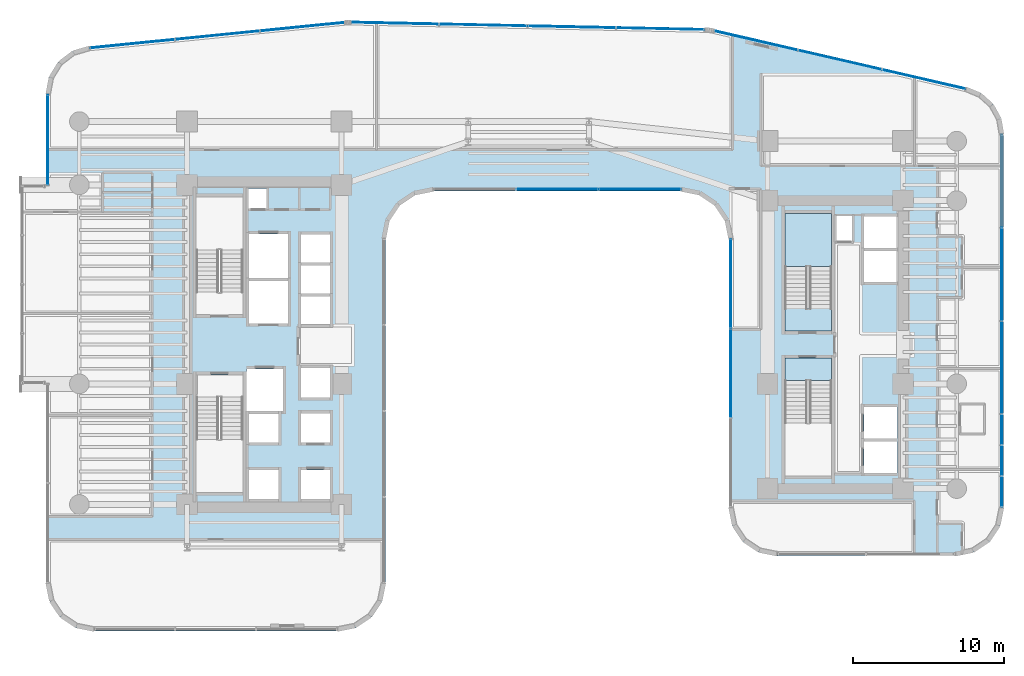
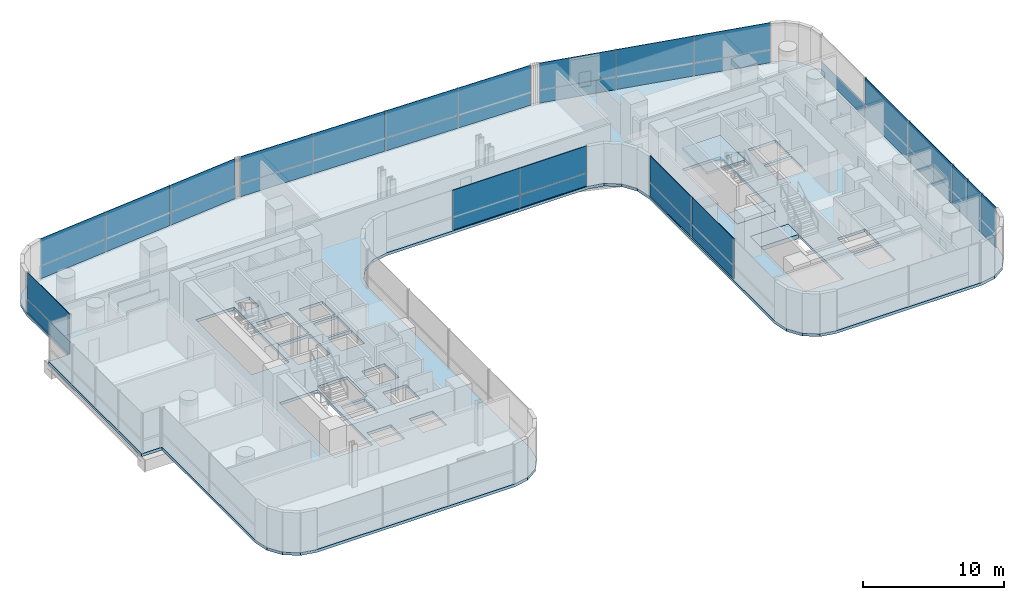
# One storey, part 28 of 39: 31 plates, 4 slabs, 8 elements without a shape of their own.
"""IFC4 building model written with IfcOpenShell, lengths in metres."""

from ifc_helpers import new_model, si_unit, direction, frame, origin, origin_2d, place, context, subcontext, project, spatial, polyline, rectangle, outline, extrude, source, transform, mapped, material, layer, layer_set, type_object, element, aggregate, save


model = new_model("IFC4")

# Units and contexts
model_context = context("Model", 3, precision=1e-05, world=origin(), true_north=direction((0.0, 1.0)))
body_context = subcontext(model_context, "Body", "Model", "MODEL_VIEW")
ifc_project = project(units=[si_unit("LENGTHUNIT", "METRE"), si_unit("AREAUNIT", "SQUARE_METRE"), si_unit("VOLUMEUNIT", "CUBIC_METRE"), si_unit("PLANEANGLEUNIT", "RADIAN"), si_unit("MASSUNIT", "GRAM", prefix="KILO")], contexts=[model_context])

# Site, building, storey
site_placement = place(None, origin())
site = spatial("IfcSite", under=ifc_project, at=site_placement, CompositionType="ELEMENT")
building_placement = place(site_placement, origin())
building = spatial("IfcBuilding", under=site, at=building_placement, Name="Valdorenza Pilgrim Sanctuary Tower", CompositionType="ELEMENT")
storey_placement = place(building_placement, frame((0.0, 0.0, 70.39990234375)))
storey = spatial("IfcBuildingStorey", under=building, at=storey_placement, Name="L17", CompositionType="ELEMENT", Elevation=70.39990234375)

# Slab
ifc_material_1 = material(Name="Concrete C40/50", Category="concrete")
ifc_layer_1 = layer(ifc_material_1, 0.239990234375, Name="Concrete C40/50")
ifc_layer_set_1 = layer_set([ifc_layer_1], Name="Concrete C40/50")
slab_type_1 = type_object("IfcSlabType", Name="SLAB-FLR-220", PredefinedType="FLOOR", material=ifc_layer_set_1)
slab_1_placement = place(storey_placement, frame((0.0, 0.0, -0.239990234375)))
element("IfcSlab", 1, at=slab_1_placement, inside=storey, type_object=slab_type_1, Name="L17 Structural Floor Slab 1", PredefinedType="FLOOR", context=body_context, shape_type="SweptSolid", body=[
    extrude(outline(polyline([(-31.785888671875, 17.754638671875), (-31.172607421875, 18.751220703125), (-30.241943359375, 19.460693359375), (-29.118408203125, 19.7880859375), (-12.192138671875, 21.480712890625), (-11.999755859375, 21.494140625), (-11.9033203125, 21.49658203125), (11.66943359375, 21.0068359375), (11.833984375, 20.999267578125), (11.997802734375, 20.983154296875), (12.160888671875, 20.95849609375), (12.322265625, 20.925537109375), (29.01953125, 17.072509765625), (30.00732421875, 16.660888671875), (30.80419921875, 15.946533203125), (31.321044921875, 15.009521484375), (31.5, 13.954345703125), (31.5, -10.800048828125), (31.25634765625, -12.024658203125), (30.562744140625, -13.062744140625), (29.524658203125, -13.75634765625), (28.300048828125, -14.0), (16.5, -14.0), (15.275390625, -13.75634765625), (14.2373046875, -13.062744140625), (13.543701171875, -12.024658203125), (13.300048828125, -10.800048828125), (13.300048828125, 7.0), (13.056396484375, 8.224609375), (12.36279296875, 9.2626953125), (11.32470703125, 9.956298828125), (10.10009765625, 10.199951171875), (-6.300048828125, 10.199951171875), (-7.524658203125, 9.956298828125), (-8.562744140625, 9.2626953125), (-9.25634765625, 8.224609375), (-9.5, 7.0), (-9.5, -15.800048828125), (-9.74365234375, -17.024658203125), (-10.437255859375, -18.062744140625), (-11.475341796875, -18.75634765625), (-12.699951171875, -19.0), (-28.800048828125, -19.0), (-30.024658203125, -18.75634765625), (-31.062744140625, -18.062744140625), (-31.75634765625, -17.024658203125), (-32.0, -15.800048828125), (-32.0, -2.60009765625), (-33.64990234375, -2.60009765625), (-33.64990234375, 10.60009765625), (-32.0, 10.60009765625), (-32.0, 16.60400390625), (-31.785888671875, 17.754638671875)]), holes=[polyline([(-16.60009765625, -10.25), (-16.60009765625, -8.300048828125), (-18.550048828125, -8.300048828125), (-18.550048828125, -10.25), (-16.60009765625, -10.25)]), polyline([(-22.050048828125, -9.800048828125), (-18.93994140625, -9.800048828125), (-18.93994140625, -3.485107421875), (-18.93994140625, -2.0), (-22.050048828125, -2.0), (-22.050048828125, -3.485107421875), (-22.050048828125, -9.800048828125)]), polyline([(-18.550048828125, -6.5), (-16.60009765625, -6.5), (-16.60009765625, -4.60009765625), (-18.550048828125, -4.60009765625), (-18.550048828125, -6.5)]), polyline([(-13.179931640625, -6.5), (-13.179931640625, -4.550048828125), (-15.10009765625, -4.550048828125), (-15.10009765625, -6.5), (-13.179931640625, -6.5)]), polyline([(-18.719970703125, -4.39990234375), (-16.300048828125, -4.39990234375), (-16.300048828125, -1.60009765625), (-18.719970703125, -1.60009765625), (-18.719970703125, -4.39990234375)]), polyline([(-13.179931640625, -3.5), (-13.179931640625, -1.550048828125), (-15.10009765625, -1.550048828125), (-15.10009765625, -3.5), (-13.179931640625, -3.5)]), polyline([(-22.050048828125, 2.0), (-18.93994140625, 2.0), (-18.93994140625, 3.485107421875), (-18.93994140625, 9.800048828125), (-22.050048828125, 9.800048828125), (-22.050048828125, 3.485107421875), (-22.050048828125, 2.0)]), polyline([(-18.550048828125, 1.39990234375), (-15.949951171875, 1.39990234375), (-15.949951171875, 4.22509765625), (-18.550048828125, 4.22509765625), (-18.550048828125, 1.39990234375)]), polyline([(-15.949951171875, 4.425048828125), (-15.949951171875, 7.35009765625), (-18.550048828125, 7.35009765625), (-18.550048828125, 4.425048828125), (-15.949951171875, 4.425048828125)]), polyline([(-15.10009765625, 5.449951171875), (-13.179931640625, 5.449951171875), (-13.179931640625, 7.300048828125), (-15.10009765625, 7.300048828125), (-15.10009765625, 5.449951171875)]), polyline([(-17.360107421875, 9.030029296875), (-17.360107421875, 10.35009765625), (-18.570068359375, 10.35009765625), (-18.570068359375, 9.030029296875), (-17.360107421875, 9.030029296875)]), polyline([(-15.10009765625, -10.25), (-13.179931640625, -10.25), (-13.179931640625, -8.300048828125), (-15.10009765625, -8.300048828125), (-15.10009765625, -10.25)]), polyline([(22.25, -8.5), (24.47998046875, -8.5), (24.47998046875, -6.425048828125), (22.25, -6.425048828125), (22.25, -8.5)]), polyline([(17.0, -2.385009765625), (17.0, -8.699951171875), (20.110107421875, -8.699951171875), (20.110107421875, -2.385009765625), (20.110107421875, -0.89990234375), (17.0, -0.89990234375), (17.0, -2.385009765625)]), polyline([(22.25, -6.22509765625), (24.47998046875, -6.22509765625), (24.47998046875, -4.14990234375), (22.25, -4.14990234375), (22.25, -6.22509765625)]), polyline([(17.0, 0.89990234375), (20.110107421875, 0.89990234375), (20.110107421875, 2.385009765625), (20.110107421875, 8.699951171875), (17.0, 8.699951171875), (17.0, 2.385009765625), (17.0, 0.89990234375)]), polyline([(-15.10009765625, 1.35009765625), (-13.179931640625, 1.35009765625), (-13.179931640625, 3.199951171875), (-15.10009765625, 3.199951171875), (-15.10009765625, 1.35009765625)]), polyline([(-15.10009765625, 3.39990234375), (-13.179931640625, 3.39990234375), (-13.179931640625, 5.25), (-15.10009765625, 5.25), (-15.10009765625, 3.39990234375)]), polyline([(22.25, 4.14990234375), (24.47998046875, 4.14990234375), (24.47998046875, 6.22509765625), (22.25, 6.22509765625), (22.25, 4.14990234375)]), polyline([(22.25, 6.425048828125), (24.47998046875, 6.425048828125), (24.47998046875, 8.5), (22.25, 8.5), (22.25, 6.425048828125)]), polyline([(20.409912109375, 6.860107421875), (21.489990234375, 6.860107421875), (21.489990234375, 8.52001953125), (20.409912109375, 8.52001953125), (20.409912109375, 6.860107421875)])]), origin(), (0.0, 0.0, 1.0), 0.239990234375),
])

# Stair, slab
stair_type = type_object("IfcStairType", Name="STR-DOG-CORE", PredefinedType="HALF_TURN_STAIR", material=ifc_material_1)
stair_placement = place(storey_placement, origin())
stair = element("IfcStair", 2, at=stair_placement, inside=storey, type_object=stair_type, Name="L17 ST-B1", PredefinedType="HALF_TURN_STAIR")
ifc_layer_2 = layer(ifc_material_1, 0.199951171875, Name="Concrete C40/50")
ifc_layer_set_2 = layer_set([ifc_layer_2], Name="Concrete C40/50")
slab_type_2 = type_object("IfcSlabType", Name="SLAB-STL-200", PredefinedType="LANDING", material=ifc_layer_set_2)
slab_2_placement = place(storey_placement, frame((0.0, 0.0, 1.650146484375)))
slab_2 = element("IfcSlab", 3, at=slab_2_placement, type_object=slab_type_2, Name="ST-B1 landing 1", PredefinedType="LANDING", context=body_context, shape_type="SweptSolid", body=[
    extrude(outline(polyline([(20.110107421875, 5.179931640625), (20.110107421875, 8.699951171875), (17.0, 8.699951171875), (17.0, 5.179931640625), (20.110107421875, 5.179931640625)])), origin(), (0.0, 0.0, 1.0), 0.199951171875),
])
aggregate(stair, [slab_2])

# Slabs
ifc_material_2 = material(Name="Concrete C50/60", Category="concrete")
ifc_layer_3 = layer(ifc_material_2, 0.39990234375, Name="Concrete C50/60")
ifc_layer_set_3 = layer_set([ifc_layer_3], Name="Concrete C50/60")
slab_type_3 = type_object("IfcSlabType", Name="SLAB-TRF-400", PredefinedType="FLOOR", material=ifc_layer_set_3)
slab_3_placement = place(storey_placement, frame((0.0, 0.0, -0.35986328125)))
element("IfcSlab", 4, at=slab_3_placement, inside=storey, type_object=slab_type_3, Name="L17 ST-B1 Structural Stair Landing Bearing Slab", PredefinedType="FLOOR", context=body_context, shape_type="SweptSolid", body=[
    extrude(outline(polyline([(17.0, 0.89990234375), (20.110107421875, 0.89990234375), (20.110107421875, 2.385009765625), (17.0, 2.385009765625), (17.0, 0.89990234375)])), origin(), (0.0, 0.0, 1.0), 0.35986328125),
])
slab_4_placement = place(storey_placement, frame((0.0, 0.0, -0.35986328125)))
element("IfcSlab", 5, at=slab_4_placement, inside=storey, type_object=slab_type_3, Name="L17 ST-B2 Structural Stair Landing Bearing Slab", PredefinedType="FLOOR", context=body_context, shape_type="SweptSolid", body=[
    extrude(outline(polyline([(17.0, -2.385009765625), (20.110107421875, -2.385009765625), (20.110107421875, -0.89990234375), (17.0, -0.89990234375), (17.0, -2.385009765625)])), origin(), (0.0, 0.0, 1.0), 0.35986328125),
])

# Curtain wall, plates
ifc_material_3 = material(Name="Curtain-wall IGU glazing", Category="glass")
curtain_wall_type_1 = type_object("IfcCurtainWallType", Name="CW-SYS-02", PredefinedType="NOTDEFINED", material=ifc_material_3)
curtain_wall_1_placement = place(storey_placement, origin())
curtain_wall_1 = element("IfcCurtainWall", 6, at=curtain_wall_1_placement, inside=storey, type_object=curtain_wall_type_1, Name="L17 Curtain Wall CW-L17-1-6", PredefinedType="NOTDEFINED")
ifc_material_4 = material(Name="Honed travertine limestone", Category="masonry")
ifc_layer_4 = layer(ifc_material_4, 0.050048828125, Name="Honed travertine limestone")
ifc_layer_set_4 = layer_set([ifc_layer_4], Name="Honed travertine limestone")
plate_type_1 = type_object("IfcPlateType", Name="CW-SPN-TRV", PredefinedType="USERDEFINED", material=ifc_layer_set_4)
shared_shape_1 = source(origin(), body_context, "Body", "SweptSolid", [
    extrude(rectangle(XDim=5.646484375, YDim=0.06005859375, at=origin_2d()), origin(), (0.0, 0.0, 1.0), 1.10009765625),
])
plate_1_placement = place(storey_placement, frame((-26.2783203125, 19.961669921875, 0.010009765625), z_axis=(0.0, 0.0, 1.0), x_axis=(0.995038220239, 0.099493418189, 0.0)))
plate_1 = element("IfcPlate", 7, at=plate_1_placement, type_object=plate_type_1, Name="CW-L17-1-6 Travertine Spandrel 1", ObjectType="SPANDREL", PredefinedType="USERDEFINED", context=body_context, shape_type="MappedRepresentation", body=[
    mapped(shared_shape_1, transform((0.0, 0.0, 0.0), x_axis=(1.0, 0.0, 0.0), y_axis=(0.0, 1.0, 0.0), z_axis=(0.0, 0.0, 1.0), scale=1.0)),
])
plate_2_placement = place(storey_placement, frame((-15.001220703125, 21.08935546875, 0.010009765625), z_axis=(0.0, 0.0, 1.0), x_axis=(0.995038220239, 0.099493418189, 0.0)))
plate_2 = element("IfcPlate", 8, at=plate_2_placement, type_object=plate_type_1, Name="CW-L17-1-6 Travertine Spandrel 3", ObjectType="SPANDREL", PredefinedType="USERDEFINED", context=body_context, shape_type="MappedRepresentation", body=[
    mapped(shared_shape_1, transform((0.0, 0.0, 0.0), x_axis=(1.0, 0.0, 0.0), y_axis=(0.0, 1.0, 0.0), z_axis=(0.0, 0.0, 1.0), scale=1.0)),
])
ifc_material_5 = material(Name="Ceramic-fritted low-E IGU glazing", Category="glass")
ifc_layer_5 = layer(ifc_material_5, 0.035888671875, Name="Ceramic-fritted low-E IGU glazing")
ifc_layer_set_5 = layer_set([ifc_layer_5], Name="Ceramic-fritted low-E IGU glazing")
plate_type_2 = type_object("IfcPlateType", Name="CW-GLZ-IGU", PredefinedType="USERDEFINED", material=ifc_layer_set_5)
shared_shape_2 = source(origin(), body_context, "Body", "SweptSolid", [
    extrude(rectangle(XDim=5.646484375, YDim=0.050048828125, at=origin_2d()), origin(), (0.0, 0.0, 1.0), 2.320068359375),
])
plate_3_placement = place(storey_placement, frame((-26.2783203125, 19.961669921875, 1.1298828125), z_axis=(0.0, 0.0, 1.0), x_axis=(0.995038220239, 0.099493418189, 0.0)))
plate_3 = element("IfcPlate", 9, at=plate_3_placement, type_object=plate_type_2, Name="CW-L17-1-6 Facade Panel 1", ObjectType="GLAZING", PredefinedType="USERDEFINED", context=body_context, shape_type="MappedRepresentation", body=[
    mapped(shared_shape_2, transform((0.0, 0.0, 0.0), x_axis=(1.0, 0.0, 0.0), y_axis=(0.0, 1.0, 0.0), z_axis=(0.0, 0.0, 1.0), scale=1.0)),
])
plate_4_placement = place(storey_placement, frame((-15.001220703125, 21.08935546875, 1.1298828125), z_axis=(0.0, 0.0, 1.0), x_axis=(0.995038220239, 0.099493418189, 0.0)))
plate_4 = element("IfcPlate", 10, at=plate_4_placement, type_object=plate_type_2, Name="CW-L17-1-6 Facade Panel 3", ObjectType="GLAZING", PredefinedType="USERDEFINED", context=body_context, shape_type="MappedRepresentation", body=[
    mapped(shared_shape_2, transform((0.0, 0.0, 0.0), x_axis=(1.0, 0.0, 0.0), y_axis=(0.0, 1.0, 0.0), z_axis=(0.0, 0.0, 1.0), scale=1.0)),
])
shared_shape_3 = source(origin(), body_context, "Body", "SweptSolid", [
    extrude(rectangle(XDim=5.646484375, YDim=0.050048828125, at=origin_2d()), origin(), (0.0, 0.0, 1.0), 3.43994140625),
])
plate_5_placement = place(storey_placement, frame((-20.6396484375, 20.525634765625, 0.010009765625), z_axis=(0.0, 0.0, 1.0), x_axis=(0.995038220239, 0.099493418189, 0.0)))
plate_5 = element("IfcPlate", 11, at=plate_5_placement, type_object=plate_type_2, Name="CW-L17-1-6 Full-Height Facade Panel 2", ObjectType="GLAZING", PredefinedType="USERDEFINED", context=body_context, shape_type="MappedRepresentation", body=[
    mapped(shared_shape_3, transform((0.0, 0.0, 0.0), x_axis=(1.0, 0.0, 0.0), y_axis=(0.0, 1.0, 0.0), z_axis=(0.0, 0.0, 1.0), scale=1.0)),
])
aggregate(curtain_wall_1, [plate_1, plate_3, plate_5, plate_2, plate_4])

curtain_wall_2_placement = place(storey_placement, origin())
curtain_wall_2 = element("IfcCurtainWall", 12, at=curtain_wall_2_placement, inside=storey, type_object=curtain_wall_type_1, Name="L17 Curtain Wall CW-L17-1-11", PredefinedType="NOTDEFINED")
shared_shape_4 = source(origin(), body_context, "Body", "SweptSolid", [
    extrude(rectangle(XDim=5.849853515625, YDim=0.06005859375, at=origin_2d()), origin(), (0.0, 0.0, 1.0), 1.10009765625),
])
plate_6_placement = place(storey_placement, frame((-8.8740234375, 21.324951171875, 0.010009765625), z_axis=(0.0, 0.0, 1.0), x_axis=(0.999783234613, -0.020820273474, 0.0)))
plate_6 = element("IfcPlate", 13, at=plate_6_placement, type_object=plate_type_1, Name="CW-L17-1-11 Travertine Spandrel 1", ObjectType="SPANDREL", PredefinedType="USERDEFINED", context=body_context, shape_type="MappedRepresentation", body=[
    mapped(shared_shape_4, transform((0.0, 0.0, 0.0), x_axis=(1.0, 0.0, 0.0), y_axis=(0.0, 1.0, 0.0), z_axis=(0.0, 0.0, 1.0), scale=1.0)),
])
plate_7_placement = place(storey_placement, frame((2.86279296875, 21.080322265625, 0.010009765625), z_axis=(0.0, 0.0, 1.0), x_axis=(0.999783234613, -0.020820273474, 0.0)))
plate_7 = element("IfcPlate", 14, at=plate_7_placement, type_object=plate_type_1, Name="CW-L17-1-11 Travertine Spandrel 3", ObjectType="SPANDREL", PredefinedType="USERDEFINED", context=body_context, shape_type="MappedRepresentation", body=[
    mapped(shared_shape_4, transform((0.0, 0.0, 0.0), x_axis=(1.0, 0.0, 0.0), y_axis=(0.0, 1.0, 0.0), z_axis=(0.0, 0.0, 1.0), scale=1.0)),
])
shared_shape_5 = source(origin(), body_context, "Body", "SweptSolid", [
    extrude(rectangle(XDim=5.849853515625, YDim=0.050048828125, at=origin_2d()), origin(), (0.0, 0.0, 1.0), 2.320068359375),
])
plate_8_placement = place(storey_placement, frame((-8.8740234375, 21.324951171875, 1.1298828125), z_axis=(0.0, 0.0, 1.0), x_axis=(0.999783234613, -0.020820273474, 0.0)))
plate_8 = element("IfcPlate", 15, at=plate_8_placement, type_object=plate_type_2, Name="CW-L17-1-11 Facade Panel 1", ObjectType="GLAZING", PredefinedType="USERDEFINED", context=body_context, shape_type="MappedRepresentation", body=[
    mapped(shared_shape_5, transform((0.0, 0.0, 0.0), x_axis=(1.0, 0.0, 0.0), y_axis=(0.0, 1.0, 0.0), z_axis=(0.0, 0.0, 1.0), scale=1.0)),
])
plate_9_placement = place(storey_placement, frame((2.86279296875, 21.080322265625, 1.1298828125), z_axis=(0.0, 0.0, 1.0), x_axis=(0.999783234613, -0.020820273474, 0.0)))
plate_9 = element("IfcPlate", 16, at=plate_9_placement, type_object=plate_type_2, Name="CW-L17-1-11 Facade Panel 3", ObjectType="GLAZING", PredefinedType="USERDEFINED", context=body_context, shape_type="MappedRepresentation", body=[
    mapped(shared_shape_5, transform((0.0, 0.0, 0.0), x_axis=(1.0, 0.0, 0.0), y_axis=(0.0, 1.0, 0.0), z_axis=(0.0, 0.0, 1.0), scale=1.0)),
])
shared_shape_6 = source(origin(), body_context, "Body", "SweptSolid", [
    extrude(rectangle(XDim=5.849853515625, YDim=0.050048828125, at=origin_2d()), origin(), (0.0, 0.0, 1.0), 3.43994140625),
])
plate_10_placement = place(storey_placement, frame((-3.005615234375, 21.20263671875, 0.010009765625), z_axis=(0.0, 0.0, 1.0), x_axis=(0.999783234613, -0.020820273474, 0.0)))
plate_10 = element("IfcPlate", 17, at=plate_10_placement, type_object=plate_type_2, Name="CW-L17-1-11 Full-Height Facade Panel 2", ObjectType="GLAZING", PredefinedType="USERDEFINED", context=body_context, shape_type="MappedRepresentation", body=[
    mapped(shared_shape_6, transform((0.0, 0.0, 0.0), x_axis=(1.0, 0.0, 0.0), y_axis=(0.0, 1.0, 0.0), z_axis=(0.0, 0.0, 1.0), scale=1.0)),
])
plate_11_placement = place(storey_placement, frame((8.7314453125, 20.9580078125, 0.010009765625), z_axis=(0.0, 0.0, 1.0), x_axis=(0.999783234613, -0.020820273474, 0.0)))
plate_11 = element("IfcPlate", 18, at=plate_11_placement, type_object=plate_type_2, Name="CW-L17-1-11 Full-Height Facade Panel 4", ObjectType="GLAZING", PredefinedType="USERDEFINED", context=body_context, shape_type="MappedRepresentation", body=[
    mapped(shared_shape_6, transform((0.0, 0.0, 0.0), x_axis=(1.0, 0.0, 0.0), y_axis=(0.0, 1.0, 0.0), z_axis=(0.0, 0.0, 1.0), scale=1.0)),
])
aggregate(curtain_wall_2, [plate_6, plate_8, plate_10, plate_7, plate_9, plate_11])

curtain_wall_type_2 = type_object("IfcCurtainWallType", Name="CW-SYS-03", PredefinedType="NOTDEFINED", material=ifc_material_3)
curtain_wall_3_placement = place(storey_placement, origin())
curtain_wall_3 = element("IfcCurtainWall", 19, at=curtain_wall_3_placement, inside=storey, type_object=curtain_wall_type_2, Name="L17 Curtain Wall CW-L17-1-16", PredefinedType="NOTDEFINED")
shared_shape_7 = source(origin(), body_context, "Body", "SweptSolid", [
    extrude(rectangle(XDim=5.6884765625, YDim=0.06005859375, at=origin_2d()), origin(), (0.0, 0.0, 1.0), 1.10009765625),
])
plate_12_placement = place(storey_placement, frame((15.080078125, 20.17626953125, 0.010009765625), z_axis=(0.0, 0.0, 1.0), x_axis=(0.974389691758, -0.224866023659, 0.0)))
plate_12 = element("IfcPlate", 20, at=plate_12_placement, type_object=plate_type_1, Name="CW-L17-1-16 Travertine Spandrel 1", ObjectType="SPANDREL", PredefinedType="USERDEFINED", context=body_context, shape_type="MappedRepresentation", body=[
    mapped(shared_shape_7, transform((0.0, 0.0, 0.0), x_axis=(1.0, 0.0, 0.0), y_axis=(0.0, 1.0, 0.0), z_axis=(0.0, 0.0, 1.0), scale=1.0)),
])
plate_13_placement = place(storey_placement, frame((26.20458984375, 17.609130859375, 0.010009765625), z_axis=(0.0, 0.0, 1.0), x_axis=(0.974389691758, -0.224866023659, 0.0)))
plate_13 = element("IfcPlate", 21, at=plate_13_placement, type_object=plate_type_1, Name="CW-L17-1-16 Travertine Spandrel 3", ObjectType="SPANDREL", PredefinedType="USERDEFINED", context=body_context, shape_type="MappedRepresentation", body=[
    mapped(shared_shape_7, transform((0.0, 0.0, 0.0), x_axis=(1.0, 0.0, 0.0), y_axis=(0.0, 1.0, 0.0), z_axis=(0.0, 0.0, 1.0), scale=1.0)),
])
shared_shape_8 = source(origin(), body_context, "Body", "SweptSolid", [
    extrude(rectangle(XDim=5.6884765625, YDim=0.050048828125, at=origin_2d()), origin(), (0.0, 0.0, 1.0), 2.320068359375),
])
plate_14_placement = place(storey_placement, frame((15.080078125, 20.17626953125, 1.1298828125), z_axis=(0.0, 0.0, 1.0), x_axis=(0.974389691758, -0.224866023659, 0.0)))
plate_14 = element("IfcPlate", 22, at=plate_14_placement, type_object=plate_type_2, Name="CW-L17-1-16 Facade Panel 1", ObjectType="GLAZING", PredefinedType="USERDEFINED", context=body_context, shape_type="MappedRepresentation", body=[
    mapped(shared_shape_8, transform((0.0, 0.0, 0.0), x_axis=(1.0, 0.0, 0.0), y_axis=(0.0, 1.0, 0.0), z_axis=(0.0, 0.0, 1.0), scale=1.0)),
])
plate_15_placement = place(storey_placement, frame((26.20458984375, 17.609130859375, 1.1298828125), z_axis=(0.0, 0.0, 1.0), x_axis=(0.974389691758, -0.224866023659, 0.0)))
plate_15 = element("IfcPlate", 23, at=plate_15_placement, type_object=plate_type_2, Name="CW-L17-1-16 Facade Panel 3", ObjectType="GLAZING", PredefinedType="USERDEFINED", context=body_context, shape_type="MappedRepresentation", body=[
    mapped(shared_shape_8, transform((0.0, 0.0, 0.0), x_axis=(1.0, 0.0, 0.0), y_axis=(0.0, 1.0, 0.0), z_axis=(0.0, 0.0, 1.0), scale=1.0)),
])
shared_shape_9 = source(origin(), body_context, "Body", "SweptSolid", [
    extrude(rectangle(XDim=5.6884765625, YDim=0.050048828125, at=origin_2d()), origin(), (0.0, 0.0, 1.0), 3.43994140625),
])
plate_16_placement = place(storey_placement, frame((20.642333984375, 18.892578125, 0.010009765625), z_axis=(0.0, 0.0, 1.0), x_axis=(0.974389691758, -0.224866023659, 0.0)))
plate_16 = element("IfcPlate", 24, at=plate_16_placement, type_object=plate_type_2, Name="CW-L17-1-16 Full-Height Facade Panel 2", ObjectType="GLAZING", PredefinedType="USERDEFINED", context=body_context, shape_type="MappedRepresentation", body=[
    mapped(shared_shape_9, transform((0.0, 0.0, 0.0), x_axis=(1.0, 0.0, 0.0), y_axis=(0.0, 1.0, 0.0), z_axis=(0.0, 0.0, 1.0), scale=1.0)),
])
aggregate(curtain_wall_3, [plate_12, plate_14, plate_16, plate_13, plate_15])

curtain_wall_4_placement = place(storey_placement, origin())
curtain_wall_4 = element("IfcCurtainWall", 25, at=curtain_wall_4_placement, inside=storey, type_object=curtain_wall_type_2, Name="L17 Curtain Wall CW-L17-1-21", PredefinedType="NOTDEFINED")
shared_shape_10 = source(origin(), body_context, "Body", "SweptSolid", [
    extrude(rectangle(XDim=6.16357421875, YDim=0.06005859375, at=origin_2d()), origin(), (0.0, 0.0, 1.0), 1.10009765625),
])
plate_17_placement = place(storey_placement, frame((31.389892578125, 10.853271484375, 0.010009765625), z_axis=(0.0, 0.0, 1.0), x_axis=(0.0, -1.0, 0.0)))
plate_17 = element("IfcPlate", 26, at=plate_17_placement, type_object=plate_type_1, Name="CW-L17-1-21 Travertine Spandrel 1", ObjectType="SPANDREL", PredefinedType="USERDEFINED", context=body_context, shape_type="MappedRepresentation", body=[
    mapped(shared_shape_10, transform((0.0, 0.0, 0.0), x_axis=(1.0, 0.0, 0.0), y_axis=(0.0, 1.0, 0.0), z_axis=(0.0, 0.0, 1.0), scale=1.0)),
])
plate_18_placement = place(storey_placement, frame((31.389892578125, -1.513916015625, 0.010009765625), z_axis=(0.0, 0.0, 1.0), x_axis=(0.0, -1.0, 0.0)))
plate_18 = element("IfcPlate", 27, at=plate_18_placement, type_object=plate_type_1, Name="CW-L17-1-21 Travertine Spandrel 3", ObjectType="SPANDREL", PredefinedType="USERDEFINED", context=body_context, shape_type="MappedRepresentation", body=[
    mapped(shared_shape_10, transform((0.0, 0.0, 0.0), x_axis=(1.0, 0.0, 0.0), y_axis=(0.0, 1.0, 0.0), z_axis=(0.0, 0.0, 1.0), scale=1.0)),
])
shared_shape_11 = source(origin(), body_context, "Body", "SweptSolid", [
    extrude(rectangle(XDim=6.16357421875, YDim=0.050048828125, at=origin_2d()), origin(), (0.0, 0.0, 1.0), 2.320068359375),
])
plate_19_placement = place(storey_placement, frame((31.389892578125, -1.513916015625, 1.1298828125), z_axis=(0.0, 0.0, 1.0), x_axis=(0.0, -1.0, 0.0)))
plate_19 = element("IfcPlate", 28, at=plate_19_placement, type_object=plate_type_2, Name="CW-L17-1-21 Facade Panel 3", ObjectType="GLAZING", PredefinedType="USERDEFINED", context=body_context, shape_type="MappedRepresentation", body=[
    mapped(shared_shape_11, transform((0.0, 0.0, 0.0), x_axis=(1.0, 0.0, 0.0), y_axis=(0.0, 1.0, 0.0), z_axis=(0.0, 0.0, 1.0), scale=1.0)),
])
shared_shape_12 = source(origin(), body_context, "Body", "SweptSolid", [
    extrude(rectangle(XDim=6.16357421875, YDim=0.050048828125, at=origin_2d()), origin(), (0.0, 0.0, 1.0), 3.43994140625),
])
plate_20_placement = place(storey_placement, frame((31.389892578125, 4.669677734375, 0.010009765625), z_axis=(0.0, 0.0, 1.0), x_axis=(0.0, -1.0, 0.0)))
plate_20 = element("IfcPlate", 29, at=plate_20_placement, type_object=plate_type_2, Name="CW-L17-1-21 Full-Height Facade Panel 2", ObjectType="GLAZING", PredefinedType="USERDEFINED", context=body_context, shape_type="MappedRepresentation", body=[
    mapped(shared_shape_12, transform((0.0, 0.0, 0.0), x_axis=(1.0, 0.0, 0.0), y_axis=(0.0, 1.0, 0.0), z_axis=(0.0, 0.0, 1.0), scale=1.0)),
])

curtain_wall_5_placement = place(storey_placement, origin())
curtain_wall_5 = element("IfcCurtainWall", 30, at=curtain_wall_5_placement, inside=storey, type_object=curtain_wall_type_2, Name="L17 Curtain Wall CW-L17-1-31", PredefinedType="NOTDEFINED")
shared_shape_13 = source(origin(), body_context, "Body", "SweptSolid", [
    extrude(rectangle(XDim=5.913330078125, YDim=0.06005859375, at=origin_2d()), origin(), (0.0, 0.0, 1.0), 1.10009765625),
])
plate_21_placement = place(storey_placement, frame((13.409912109375, 4.044189453125, 0.010009765625), z_axis=(0.0, 0.0, 1.0), x_axis=(0.0, 1.0, 0.0)))
plate_21 = element("IfcPlate", 31, at=plate_21_placement, type_object=plate_type_1, Name="CW-L17-1-31 Travertine Spandrel 3", ObjectType="SPANDREL", PredefinedType="USERDEFINED", context=body_context, shape_type="MappedRepresentation", body=[
    mapped(shared_shape_13, transform((0.0, 0.0, 0.0), x_axis=(1.0, 0.0, 0.0), y_axis=(0.0, 1.0, 0.0), z_axis=(0.0, 0.0, 1.0), scale=1.0)),
])
shared_shape_14 = source(origin(), body_context, "Body", "SweptSolid", [
    extrude(rectangle(XDim=5.913330078125, YDim=0.050048828125, at=origin_2d()), origin(), (0.0, 0.0, 1.0), 2.320068359375),
])
plate_22_placement = place(storey_placement, frame((13.409912109375, 4.044189453125, 1.1298828125), z_axis=(0.0, 0.0, 1.0), x_axis=(0.0, 1.0, 0.0)))
plate_22 = element("IfcPlate", 32, at=plate_22_placement, type_object=plate_type_2, Name="CW-L17-1-31 Facade Panel 3", ObjectType="GLAZING", PredefinedType="USERDEFINED", context=body_context, shape_type="MappedRepresentation", body=[
    mapped(shared_shape_14, transform((0.0, 0.0, 0.0), x_axis=(1.0, 0.0, 0.0), y_axis=(0.0, 1.0, 0.0), z_axis=(0.0, 0.0, 1.0), scale=1.0)),
])
shared_shape_15 = source(origin(), body_context, "Body", "SweptSolid", [
    extrude(rectangle(XDim=5.913330078125, YDim=0.050048828125, at=origin_2d()), origin(), (0.0, 0.0, 1.0), 3.43994140625),
])
plate_23_placement = place(storey_placement, frame((13.409912109375, -1.88916015625, 0.010009765625), z_axis=(0.0, 0.0, 1.0), x_axis=(0.0, 1.0, 0.0)))
plate_23 = element("IfcPlate", 33, at=plate_23_placement, type_object=plate_type_2, Name="CW-L17-1-31 Full-Height Facade Panel 2", ObjectType="GLAZING", PredefinedType="USERDEFINED", context=body_context, shape_type="MappedRepresentation", body=[
    mapped(shared_shape_15, transform((0.0, 0.0, 0.0), x_axis=(1.0, 0.0, 0.0), y_axis=(0.0, 1.0, 0.0), z_axis=(0.0, 0.0, 1.0), scale=1.0)),
])
aggregate(curtain_wall_5, [plate_23, plate_21, plate_22])

curtain_wall_6_placement = place(storey_placement, origin())
curtain_wall_6 = element("IfcCurtainWall", 34, at=curtain_wall_6_placement, inside=storey, type_object=curtain_wall_type_1, Name="L17 Curtain Wall CW-L17-1-36", PredefinedType="NOTDEFINED")
shared_shape_16 = source(origin(), body_context, "Body", "SweptSolid", [
    extrude(rectangle(XDim=5.453857421875, YDim=0.06005859375, at=origin_2d()), origin(), (0.0, 0.0, 1.0), 1.10009765625),
])
plate_24_placement = place(storey_placement, frame((7.373779296875, 10.31005859375, 0.010009765625), z_axis=(0.0, 0.0, 1.0), x_axis=(-1.0, 0.0, 0.0)))
plate_24 = element("IfcPlate", 35, at=plate_24_placement, type_object=plate_type_1, Name="CW-L17-1-36 Travertine Spandrel 1", ObjectType="SPANDREL", PredefinedType="USERDEFINED", context=body_context, shape_type="MappedRepresentation", body=[
    mapped(shared_shape_16, transform((0.0, 0.0, 0.0), x_axis=(1.0, 0.0, 0.0), y_axis=(0.0, 1.0, 0.0), z_axis=(0.0, 0.0, 1.0), scale=1.0)),
])
shared_shape_17 = source(origin(), body_context, "Body", "SweptSolid", [
    extrude(rectangle(XDim=5.453857421875, YDim=0.050048828125, at=origin_2d()), origin(), (0.0, 0.0, 1.0), 2.320068359375),
])
plate_25_placement = place(storey_placement, frame((7.373779296875, 10.31005859375, 1.1298828125), z_axis=(0.0, 0.0, 1.0), x_axis=(-1.0, 0.0, 0.0)))
plate_25 = element("IfcPlate", 36, at=plate_25_placement, type_object=plate_type_2, Name="CW-L17-1-36 Facade Panel 1", ObjectType="GLAZING", PredefinedType="USERDEFINED", context=body_context, shape_type="MappedRepresentation", body=[
    mapped(shared_shape_17, transform((0.0, 0.0, 0.0), x_axis=(1.0, 0.0, 0.0), y_axis=(0.0, 1.0, 0.0), z_axis=(0.0, 0.0, 1.0), scale=1.0)),
])
shared_shape_18 = source(origin(), body_context, "Body", "SweptSolid", [
    extrude(rectangle(XDim=5.453857421875, YDim=0.050048828125, at=origin_2d()), origin(), (0.0, 0.0, 1.0), 3.43994140625),
])
plate_26_placement = place(storey_placement, frame((1.89990234375, 10.31005859375, 0.010009765625), z_axis=(0.0, 0.0, 1.0), x_axis=(-1.0, 0.0, 0.0)))
plate_26 = element("IfcPlate", 37, at=plate_26_placement, type_object=plate_type_2, Name="CW-L17-1-36 Full-Height Facade Panel 2", ObjectType="GLAZING", PredefinedType="USERDEFINED", context=body_context, shape_type="MappedRepresentation", body=[
    mapped(shared_shape_18, transform((0.0, 0.0, 0.0), x_axis=(1.0, 0.0, 0.0), y_axis=(0.0, 1.0, 0.0), z_axis=(0.0, 0.0, 1.0), scale=1.0)),
])
aggregate(curtain_wall_6, [plate_24, plate_25, plate_26])

curtain_wall_7_placement = place(storey_placement, origin())
curtain_wall_7 = element("IfcCurtainWall", 38, at=curtain_wall_7_placement, inside=storey, type_object=curtain_wall_type_1, Name="L17 Curtain Wall CW-L17-1-1S2", PredefinedType="NOTDEFINED")
shared_shape_19 = source(origin(), body_context, "Body", "SweptSolid", [
    extrude(rectangle(XDim=5.973876953125, YDim=0.06005859375, at=origin_2d()), origin(), (0.0, 0.0, 1.0), 1.10009765625),
])
plate_27_placement = place(storey_placement, frame((-31.889892578125, 13.596923828125, 0.010009765625), z_axis=(0.0, 0.0, 1.0), x_axis=(0.0, 1.0, 0.0)))
plate_27 = element("IfcPlate", 39, at=plate_27_placement, type_object=plate_type_1, Name="CW-L17-1-1S2 Travertine Spandrel 1", ObjectType="SPANDREL", PredefinedType="USERDEFINED", context=body_context, shape_type="MappedRepresentation", body=[
    mapped(shared_shape_19, transform((0.0, 0.0, 0.0), x_axis=(1.0, 0.0, 0.0), y_axis=(0.0, 1.0, 0.0), z_axis=(0.0, 0.0, 1.0), scale=1.0)),
])
shared_shape_20 = source(origin(), body_context, "Body", "SweptSolid", [
    extrude(rectangle(XDim=5.973876953125, YDim=0.050048828125, at=origin_2d()), origin(), (0.0, 0.0, 1.0), 2.320068359375),
])
plate_28_placement = place(storey_placement, frame((-31.889892578125, 13.596923828125, 1.1298828125), z_axis=(0.0, 0.0, 1.0), x_axis=(0.0, 1.0, 0.0)))
plate_28 = element("IfcPlate", 40, at=plate_28_placement, type_object=plate_type_2, Name="CW-L17-1-1S2 Facade Panel 1", ObjectType="GLAZING", PredefinedType="USERDEFINED", context=body_context, shape_type="MappedRepresentation", body=[
    mapped(shared_shape_20, transform((0.0, 0.0, 0.0), x_axis=(1.0, 0.0, 0.0), y_axis=(0.0, 1.0, 0.0), z_axis=(0.0, 0.0, 1.0), scale=1.0)),
])
aggregate(curtain_wall_7, [plate_27, plate_28])

# Plate
shared_shape_21 = source(origin(), body_context, "Body", "SweptSolid", [
    extrude(rectangle(XDim=2.034423828125, YDim=0.050048828125, at=origin_2d()), origin(), (0.0, 0.0, 1.0), 3.43994140625),
])
plate_29_placement = place(storey_placement, frame((31.389892578125, -5.642822265625, 0.010009765625), z_axis=(0.0, 0.0, 1.0), x_axis=(0.0, -1.0, 0.0)))
plate_29 = element("IfcPlate", 41, at=plate_29_placement, type_object=plate_type_2, Name="CW-L17-1-21 Full-Height Facade Panel 4 Sub 1", ObjectType="GLAZING", PredefinedType="USERDEFINED", context=body_context, shape_type="MappedRepresentation", body=[
    mapped(shared_shape_21, transform((0.0, 0.0, 0.0), x_axis=(1.0, 0.0, 0.0), y_axis=(0.0, 1.0, 0.0), z_axis=(0.0, 0.0, 1.0), scale=1.0)),
])

plate_30_placement = place(storey_placement, frame((31.389892578125, -7.697509765625, 0.010009765625), z_axis=(0.0, 0.0, 1.0), x_axis=(0.0, -1.0, 0.0)))
plate_30 = element("IfcPlate", 42, at=plate_30_placement, type_object=plate_type_2, Name="CW-L17-1-21 Full-Height Facade Panel 4 Sub 2", ObjectType="GLAZING", PredefinedType="USERDEFINED", context=body_context, shape_type="MappedRepresentation", body=[
    mapped(shared_shape_21, transform((0.0, 0.0, 0.0), x_axis=(1.0, 0.0, 0.0), y_axis=(0.0, 1.0, 0.0), z_axis=(0.0, 0.0, 1.0), scale=1.0)),
])

plate_31_placement = place(storey_placement, frame((31.389892578125, -9.751953125, 0.010009765625), z_axis=(0.0, 0.0, 1.0), x_axis=(0.0, -1.0, 0.0)))
plate_31 = element("IfcPlate", 43, at=plate_31_placement, type_object=plate_type_2, Name="CW-L17-1-21 Full-Height Facade Panel 4 Sub 3", ObjectType="GLAZING", PredefinedType="USERDEFINED", context=body_context, shape_type="MappedRepresentation", body=[
    mapped(shared_shape_21, transform((0.0, 0.0, 0.0), x_axis=(1.0, 0.0, 0.0), y_axis=(0.0, 1.0, 0.0), z_axis=(0.0, 0.0, 1.0), scale=1.0)),
])

aggregate(curtain_wall_4, [plate_17, plate_20, plate_18, plate_19, plate_29, plate_30, plate_31])

save(model, "model.ifc")
